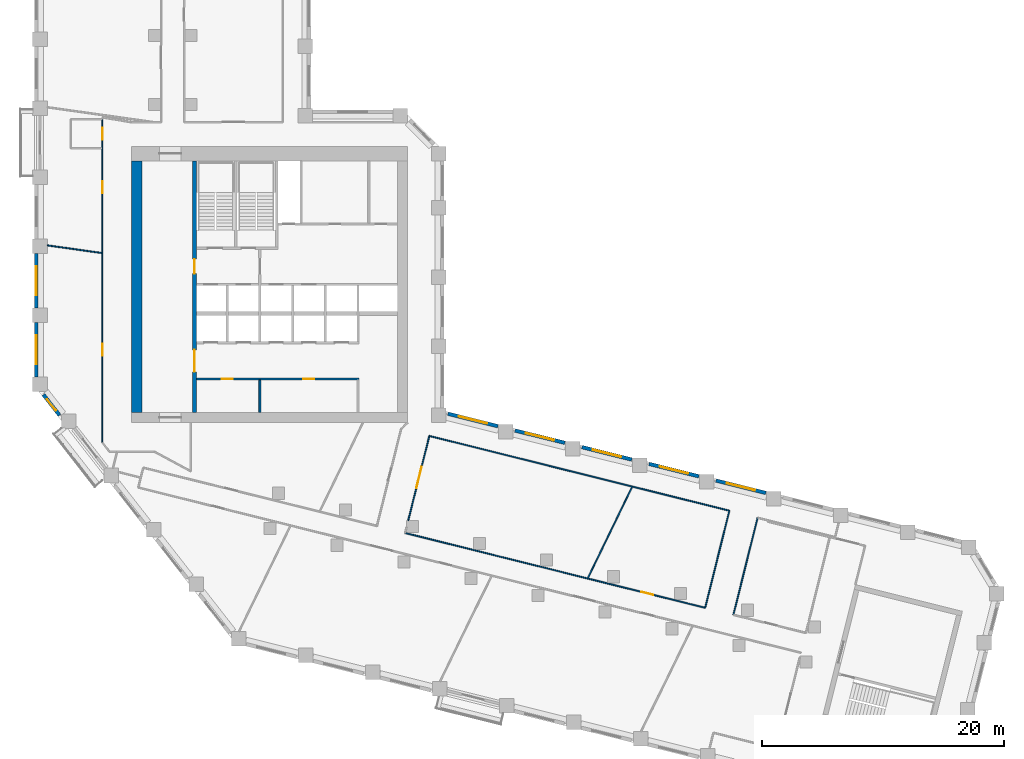
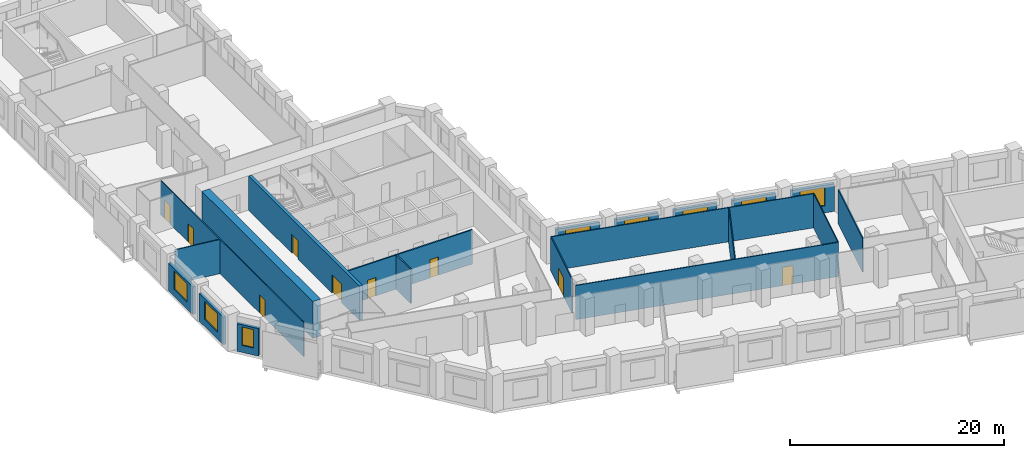
# One storey, part 4 of 10: 20 walls, 9 doors, 8 windows, 17 openings.
"""IFC4 building model written with IfcOpenShell, lengths in metres."""

from ifc_helpers import new_model, si_unit, direction, frame, frame_2d, origin, place, context, subcontext, project, spatial, rectangle, extrude, material, layer, layer_set, type_object, element, fill, save


model = new_model("IFC4")

# Units and contexts
model_context = context("Model", 3, precision=1e-05, world=origin(), true_north=direction((0.0, 1.0)))
body_context = subcontext(model_context, "Body", "Model", "MODEL_VIEW")
ifc_project = project(units=[si_unit("LENGTHUNIT", "METRE"), si_unit("AREAUNIT", "SQUARE_METRE"), si_unit("VOLUMEUNIT", "CUBIC_METRE"), si_unit("PLANEANGLEUNIT", "RADIAN"), si_unit("MASSUNIT", "GRAM", prefix="KILO")], contexts=[model_context])

# Site, building, storey
site_placement = place(None, origin())
site = spatial("IfcSite", under=ifc_project, at=site_placement, CompositionType="ELEMENT")
building_placement = place(site_placement, origin())
building = spatial("IfcBuilding", under=site, at=building_placement, Name="Meshkara Civic Tower", CompositionType="ELEMENT")
storey_placement = place(building_placement, frame((0.0, 0.0, 186.60009765625)))
storey = spatial("IfcBuildingStorey", under=building, at=storey_placement, Name="L42", CompositionType="ELEMENT", Elevation=186.60009765625)

# Wall, openings, doors
ifc_material_1 = material(Name="Blockwork", Category="masonry")
ifc_layer_1 = layer(ifc_material_1, 0.14990234375)
ifc_layer_set_1 = layer_set([ifc_layer_1], Name="Core partition 150")
wall_type_1 = type_object("IfcWallType", Name="Core partition 150", PredefinedType="PARTITIONING", material=ifc_layer_set_1)
wall_1_placement = place(storey_placement, frame((13.3701171875, 17.699951171875, 0.0), z_axis=(0.0, 0.0, 1.0), x_axis=(1.0, 0.0, 0.0)))
wall_1 = element("IfcWall", 1, at=wall_1_placement, inside=storey, type_object=wall_type_1, Name="L42-C005", PredefinedType="PARTITIONING", context=body_context, shape_type="SweptSolid", body=[
    extrude(rectangle(XDim=13.40478515625, YDim=0.14990234375, at=frame_2d((6.702392578125, 0.0))), origin(), (0.0, 0.0, 1.0), 3.89990234375),
])
opening_1_placement = place(wall_1_placement, frame((2.080078125, 0.0, 0.0)))
opening_1 = element("IfcOpeningElement", 2, at=opening_1_placement, cuts=wall_1, Name="Opening L42-K010", PredefinedType="OPENING", context=body_context, shape_type="SweptSolid", body=[
    extrude(rectangle(XDim=0.89990234375, YDim=2.10009765625, at=frame_2d((0.449951171875, 1.050048828125))), frame((0.0, 0.0849609375, 0.0), z_axis=(0.0, -1.0, 0.0), x_axis=(1.0, 0.0, 0.0)), (0.0, 0.0, 1.0), 0.169921875),
])
opening_2_placement = place(wall_1_placement, frame((8.830078125, 0.0, 0.0)))
opening_2 = element("IfcOpeningElement", 3, at=opening_2_placement, cuts=wall_1, Name="Opening L42-K011", PredefinedType="OPENING", context=body_context, shape_type="SweptSolid", body=[
    extrude(rectangle(XDim=0.89990234375, YDim=2.10009765625, at=frame_2d((0.449951171875, 1.050048828125))), frame((0.0, 0.0849609375, 0.0), z_axis=(0.0, -1.0, 0.0), x_axis=(1.0, 0.0, 0.0)), (0.0, 0.0, 1.0), 0.169921875),
])
ifc_material_2 = material(Name="Timber door leaf in steel frame", Category="steel")
door_type_1 = type_object("IfcDoorType", Name="Core room door 900", OperationType="SINGLE_SWING_LEFT", PredefinedType="DOOR", material=ifc_material_2)
door_1_placement = place(opening_1_placement, origin())
door_1 = element("IfcDoor", 4, at=door_1_placement, inside=storey, type_object=door_type_1, Name="L42-K010", OperationType="SINGLE_SWING_LEFT", OverallHeight=2.10009765625, OverallWidth=0.89990234375, PredefinedType="DOOR", context=body_context, shape_type="SweptSolid", body=[
    extrude(rectangle(XDim=0.89990234375, YDim=2.10009765625, at=frame_2d((0.449951171875, 1.050048828125))), frame((0.0, 0.02490234375, 0.0), z_axis=(0.0, -1.0, 0.0), x_axis=(1.0, 0.0, 0.0)), (0.0, 0.0, 1.0), 0.050048828125),
])
fill(opening_1, door_1)
door_2_placement = place(opening_2_placement, origin())
door_2 = element("IfcDoor", 5, at=door_2_placement, inside=storey, type_object=door_type_1, Name="L42-K011", OperationType="SINGLE_SWING_LEFT", OverallHeight=2.10009765625, OverallWidth=0.89990234375, PredefinedType="DOOR", context=body_context, shape_type="SweptSolid", body=[
    extrude(rectangle(XDim=0.89990234375, YDim=2.10009765625, at=frame_2d((0.449951171875, 1.050048828125))), frame((0.0, 0.02490234375, 0.0), z_axis=(0.0, -1.0, 0.0), x_axis=(1.0, 0.0, 0.0)), (0.0, 0.0, 1.0), 0.050048828125),
])
fill(opening_2, door_2)

# Walls
wall_2_placement = place(storey_placement, frame((18.60009765625, 14.949951171875, 0.0), z_axis=(0.0, 0.0, 1.0), x_axis=(0.0, 1.0, 0.0)))
element("IfcWall", 6, at=wall_2_placement, inside=storey, type_object=wall_type_1, Name="L42-C014", PredefinedType="PARTITIONING", context=body_context, shape_type="SweptSolid", body=[
    extrude(rectangle(XDim=2.675048828125, YDim=0.14990234375, at=frame_2d((1.33740234375, 0.0))), origin(), (0.0, 0.0, 1.0), 3.89990234375),
])
ifc_material_3 = material(Name="Concrete C70", Category="concrete")
ifc_layer_2 = layer(ifc_material_3, 0.85009765625)
ifc_layer_set_2 = layer_set([ifc_layer_2], Name="Core ring wall 850 C70")
wall_type_2 = type_object("IfcWallType", Name="Core ring wall 850 C70", PredefinedType="SHEAR", material=ifc_layer_set_2)
wall_3_placement = place(storey_placement, frame((8.425048828125, 14.949951171875, -0.300048828125), z_axis=(0.0, 0.0, 1.0), x_axis=(0.0, 1.0, 0.0)))
element("IfcWall", 7, at=wall_3_placement, inside=storey, type_object=wall_type_2, Name="L42-C003", PredefinedType="SHEAR", context=body_context, shape_type="SweptSolid", body=[
    extrude(rectangle(XDim=20.75, YDim=0.85009765625, at=frame_2d((10.375, 0.0))), origin(), (0.0, 0.0, 1.0), 4.199951171875),
])

# Wall, openings, doors
ifc_material_4 = material(Name="Concrete C70", Category="concrete")
ifc_layer_3 = layer(ifc_material_4, 0.340087890625)
ifc_layer_set_3 = layer_set([ifc_layer_3], Name="Core shear wall 340 C70")
wall_type_3 = type_object("IfcWallType", Name="Core shear wall 340 C70", PredefinedType="SHEAR", material=ifc_layer_set_3)
wall_4_placement = place(storey_placement, frame((13.199951171875, 14.949951171875, 0.0), z_axis=(0.0, 0.0, 1.0), x_axis=(0.0, 1.0, 0.0)))
wall_4 = element("IfcWall", 8, at=wall_4_placement, inside=storey, type_object=wall_type_3, Name="L42-C011", PredefinedType="SHEAR", context=body_context, shape_type="SweptSolid", body=[
    extrude(rectangle(XDim=20.75, YDim=0.340087890625, at=frame_2d((10.375, 0.0))), origin(), (0.0, 0.0, 1.0), 3.89990234375),
])
opening_3_placement = place(wall_4_placement, frame((3.35009765625, 0.0, 0.0)))
opening_3 = element("IfcOpeningElement", 9, at=opening_3_placement, cuts=wall_4, Name="Opening L42-K017", PredefinedType="OPENING", context=body_context, shape_type="SweptSolid", body=[
    extrude(rectangle(XDim=1.800048828125, YDim=2.10009765625, at=frame_2d((0.89990234375, 1.050048828125))), frame((0.0, 0.179931640625, 0.0), z_axis=(0.0, -1.0, 0.0), x_axis=(1.0, 0.0, 0.0)), (0.0, 0.0, 1.0), 0.360107421875),
])
opening_4_placement = place(wall_4_placement, frame((11.449951171875, 0.0, 0.0)))
opening_4 = element("IfcOpeningElement", 10, at=opening_4_placement, cuts=wall_4, Name="Opening L42-K018", PredefinedType="OPENING", context=body_context, shape_type="SweptSolid", body=[
    extrude(rectangle(XDim=1.199951171875, YDim=2.10009765625, at=frame_2d((0.60009765625, 1.050048828125))), frame((0.0, 0.179931640625, 0.0), z_axis=(0.0, -1.0, 0.0), x_axis=(1.0, 0.0, 0.0)), (0.0, 0.0, 1.0), 0.360107421875),
])
ifc_material_5 = material(Name="Fire-rated door leaf in steel frame", Category="steel")
door_type_2 = type_object("IfcDoorType", Name="Core double door 1800 EI 60", OperationType="DOUBLE_DOOR_SINGLE_SWING", PredefinedType="DOOR", material=ifc_material_5)
door_3_placement = place(opening_3_placement, origin())
door_3 = element("IfcDoor", 11, at=door_3_placement, inside=storey, type_object=door_type_2, Name="L42-K017", OperationType="DOUBLE_DOOR_SINGLE_SWING", OverallHeight=2.10009765625, OverallWidth=1.800048828125, PredefinedType="DOOR", context=body_context, shape_type="SweptSolid", body=[
    extrude(rectangle(XDim=1.800048828125, YDim=2.10009765625, at=frame_2d((0.89990234375, 1.050048828125))), frame((0.0, 0.02490234375, 0.0), z_axis=(0.0, -1.0, 0.0), x_axis=(1.0, 0.0, 0.0)), (0.0, 0.0, 1.0), 0.050048828125),
])
fill(opening_3, door_3)
ifc_material_6 = material(Name="Fire-rated door leaf in steel frame", Category="steel")
door_type_3 = type_object("IfcDoorType", Name="Fire-fighting lobby door 1200 EI 120", OperationType="SINGLE_SWING_LEFT", PredefinedType="DOOR", material=ifc_material_6)
door_4_placement = place(opening_4_placement, origin())
door_4 = element("IfcDoor", 12, at=door_4_placement, inside=storey, type_object=door_type_3, Name="L42-K018", OperationType="SINGLE_SWING_LEFT", OverallHeight=2.10009765625, OverallWidth=1.199951171875, PredefinedType="DOOR", context=body_context, shape_type="SweptSolid", body=[
    extrude(rectangle(XDim=1.199951171875, YDim=2.10009765625, at=frame_2d((0.60009765625, 1.050048828125))), frame((0.0, 0.02490234375, 0.0), z_axis=(0.0, -1.0, 0.0), x_axis=(1.0, 0.0, 0.0)), (0.0, 0.0, 1.0), 0.050048828125),
])
fill(opening_4, door_4)

ifc_material_7 = material(Name="Corridor wall 100")
ifc_layer_4 = layer(ifc_material_7, 0.10009765625)
ifc_layer_set_4 = layer_set([ifc_layer_4], Name="Corridor wall 100")
wall_type_4 = type_object("IfcWallType", Name="Corridor wall 100", PredefinedType="PARTITIONING", material=ifc_layer_set_4)
wall_5_placement = place(storey_placement, frame((5.60009765625, 12.450927734375, 0.0), z_axis=(0.0, 0.0, 1.0), x_axis=(0.0, 1.0, 0.0)))
wall_5 = element("IfcWall", 13, at=wall_5_placement, inside=storey, type_object=wall_type_4, Name="L42-W003", PredefinedType="PARTITIONING", context=body_context, shape_type="SweptSolid", body=[
    extrude(rectangle(XDim=26.698974609375, YDim=0.10009765625, at=frame_2d((13.349609375, 0.0))), origin(), (0.0, 0.0, 1.0), 3.89990234375),
])
opening_5_placement = place(wall_5_placement, frame((7.169921875, 0.0, 0.0)))
opening_5 = element("IfcOpeningElement", 14, at=opening_5_placement, cuts=wall_5, Name="Opening L42-D014", PredefinedType="OPENING", context=body_context, shape_type="SweptSolid", body=[
    extrude(rectangle(XDim=1.0, YDim=2.10009765625, at=frame_2d((0.5, 1.050048828125))), frame((0.0, 0.06005859375, 0.0), z_axis=(0.0, -1.0, 0.0), x_axis=(1.0, 0.0, 0.0)), (0.0, 0.0, 1.0), 0.1201171875),
])
opening_6_placement = place(wall_5_placement, frame((20.569091796875, 0.0, 0.0)))
opening_6 = element("IfcOpeningElement", 15, at=opening_6_placement, cuts=wall_5, Name="Opening L42-D015", PredefinedType="OPENING", context=body_context, shape_type="SweptSolid", body=[
    extrude(rectangle(XDim=1.0, YDim=2.10009765625, at=frame_2d((0.5, 1.050048828125))), frame((0.0, 0.06005859375, 0.0), z_axis=(0.0, -1.0, 0.0), x_axis=(1.0, 0.0, 0.0)), (0.0, 0.0, 1.0), 0.1201171875),
])
opening_7_placement = place(wall_5_placement, frame((24.97900390625, 0.0, 0.0)))
opening_7 = element("IfcOpeningElement", 16, at=opening_7_placement, cuts=wall_5, Name="Opening L42-D016", PredefinedType="OPENING", context=body_context, shape_type="SweptSolid", body=[
    extrude(rectangle(XDim=1.0, YDim=2.10009765625, at=frame_2d((0.5, 1.050048828125))), frame((0.0, 0.06005859375, 0.0), z_axis=(0.0, -1.0, 0.0), x_axis=(1.0, 0.0, 0.0)), (0.0, 0.0, 1.0), 0.1201171875),
])
ifc_material_8 = material(Name="Door 1000 x 2100")
door_type_4 = type_object("IfcDoorType", Name="Door 1000 x 2100", OperationType="SINGLE_SWING_LEFT", PredefinedType="DOOR", material=ifc_material_8)
door_5_placement = place(opening_5_placement, origin())
door_5 = element("IfcDoor", 17, at=door_5_placement, inside=storey, type_object=door_type_4, Name="L42-D014", OperationType="SINGLE_SWING_LEFT", OverallHeight=2.10009765625, OverallWidth=1.0, PredefinedType="DOOR", context=body_context, shape_type="SweptSolid", body=[
    extrude(rectangle(XDim=1.0, YDim=2.10009765625, at=frame_2d((0.5, 1.050048828125))), frame((0.0, 0.02490234375, 0.0), z_axis=(0.0, -1.0, 0.0), x_axis=(1.0, 0.0, 0.0)), (0.0, 0.0, 1.0), 0.050048828125),
])
fill(opening_5, door_5)
door_6_placement = place(opening_6_placement, origin())
door_6 = element("IfcDoor", 18, at=door_6_placement, inside=storey, type_object=door_type_4, Name="L42-D015", OperationType="SINGLE_SWING_LEFT", OverallHeight=2.10009765625, OverallWidth=1.0, PredefinedType="DOOR", context=body_context, shape_type="SweptSolid", body=[
    extrude(rectangle(XDim=1.0, YDim=2.10009765625, at=frame_2d((0.5, 1.050048828125))), frame((0.0, 0.02490234375, 0.0), z_axis=(0.0, -1.0, 0.0), x_axis=(1.0, 0.0, 0.0)), (0.0, 0.0, 1.0), 0.050048828125),
])
fill(opening_6, door_6)
door_7_placement = place(opening_7_placement, origin())
door_7 = element("IfcDoor", 19, at=door_7_placement, inside=storey, type_object=door_type_4, Name="L42-D016", OperationType="SINGLE_SWING_LEFT", OverallHeight=2.10009765625, OverallWidth=1.0, PredefinedType="DOOR", context=body_context, shape_type="SweptSolid", body=[
    extrude(rectangle(XDim=1.0, YDim=2.10009765625, at=frame_2d((0.5, 1.050048828125))), frame((0.0, 0.02490234375, 0.0), z_axis=(0.0, -1.0, 0.0), x_axis=(1.0, 0.0, 0.0)), (0.0, 0.0, 1.0), 0.050048828125),
])
fill(opening_7, door_7)

# Wall, opening, door
wall_6_placement = place(storey_placement, frame((30.590087890625, 4.991943359375, 0.0), z_axis=(0.0, 0.0, 1.0), x_axis=(0.97028916255, -0.241948219746, 0.0)))
wall_6 = element("IfcWall", 20, at=wall_6_placement, inside=storey, type_object=wall_type_4, Name="L42-W024", PredefinedType="PARTITIONING", context=body_context, shape_type="SweptSolid", body=[
    extrude(rectangle(XDim=25.526123046875, YDim=0.10009765625, at=frame_2d((12.76318359375, 0.0))), origin(), (0.0, 0.0, 1.0), 3.89990234375),
])
opening_8_placement = place(wall_6_placement, frame((20.10107421875, 0.0, 0.0)))
opening_8 = element("IfcOpeningElement", 21, at=opening_8_placement, cuts=wall_6, Name="Opening L42-D008", PredefinedType="OPENING", context=body_context, shape_type="SweptSolid", body=[
    extrude(rectangle(XDim=1.0, YDim=2.10009765625, at=frame_2d((0.5, 1.050048828125))), frame((0.0, 0.06005859375, 0.0), z_axis=(0.0, -1.0, 0.0), x_axis=(1.0, 0.0, 0.0)), (0.0, 0.0, 1.0), 0.1201171875),
])
door_8_placement = place(opening_8_placement, origin())
door_8 = element("IfcDoor", 22, at=door_8_placement, inside=storey, type_object=door_type_4, Name="L42-D008", OperationType="SINGLE_SWING_RIGHT", OverallHeight=2.10009765625, OverallWidth=1.0, PredefinedType="DOOR", context=body_context, shape_type="SweptSolid", body=[
    extrude(rectangle(XDim=1.0, YDim=2.10009765625, at=frame_2d((0.5, 1.050048828125))), frame((0.0, 0.02490234375, 0.0), z_axis=(0.0, -1.0, 0.0), x_axis=(1.0, 0.0, 0.0)), (0.0, 0.0, 1.0), 0.050048828125),
])
fill(opening_8, door_8)

wall_7_placement = place(storey_placement, frame((30.844970703125, 6.012939453125, 0.0), z_axis=(0.0, 0.0, 1.0), x_axis=(0.241969354343, 0.97028389225, 0.0)))
wall_7 = element("IfcWall", 23, at=wall_7_placement, inside=storey, type_object=wall_type_4, Name="L42-W027", PredefinedType="PARTITIONING", context=body_context, shape_type="SweptSolid", body=[
    extrude(rectangle(XDim=7.203125, YDim=0.10009765625, at=frame_2d((3.6015625, 0.0))), origin(), (0.0, 0.0, 1.0), 3.89990234375),
])
opening_9_placement = place(wall_7_placement, frame((2.780029296875, 0.0, 0.0)))
opening_9 = element("IfcOpeningElement", 24, at=opening_9_placement, cuts=wall_7, Name="Opening L42-D013", PredefinedType="OPENING", context=body_context, shape_type="SweptSolid", body=[
    extrude(rectangle(XDim=1.800048828125, YDim=2.10009765625, at=frame_2d((0.89990234375, 1.050048828125))), frame((0.0, 0.06005859375, 0.0), z_axis=(0.0, -1.0, 0.0), x_axis=(1.0, 0.0, 0.0)), (0.0, 0.0, 1.0), 0.1201171875),
])
ifc_material_9 = material(Name="Door pair 1800 x 2100")
door_type_5 = type_object("IfcDoorType", Name="Door pair 1800 x 2100", OperationType="SINGLE_SWING_LEFT", PredefinedType="DOOR", material=ifc_material_9)
door_9_placement = place(opening_9_placement, origin())
door_9 = element("IfcDoor", 25, at=door_9_placement, inside=storey, type_object=door_type_5, Name="L42-D013", OperationType="DOUBLE_DOOR_SINGLE_SWING", OverallHeight=2.10009765625, OverallWidth=1.800048828125, PredefinedType="DOOR", context=body_context, shape_type="SweptSolid", body=[
    extrude(rectangle(XDim=1.800048828125, YDim=2.10009765625, at=frame_2d((0.89990234375, 1.050048828125))), frame((0.0, 0.02490234375, 0.0), z_axis=(0.0, -1.0, 0.0), x_axis=(1.0, 0.0, 0.0)), (0.0, 0.0, 1.0), 0.050048828125),
])
fill(opening_9, door_9)

# Walls
wall_8_placement = place(storey_placement, frame((32.587890625, 13.001953125, 0.0), z_axis=(0.0, 0.0, 1.0), x_axis=(0.970296463981, -0.241918936808, 0.0)))
element("IfcWall", 26, at=wall_8_placement, inside=storey, type_object=wall_type_4, Name="L42-W028", PredefinedType="PARTITIONING", context=body_context, shape_type="SweptSolid", body=[
    extrude(rectangle(XDim=25.525390625, YDim=0.10009765625, at=frame_2d((12.7626953125, 0.0))), origin(), (0.0, 0.0, 1.0), 3.89990234375),
])
wall_9_placement = place(storey_placement, frame((57.35498046875, 6.826904296875, 0.0), z_axis=(0.0, 0.0, 1.0), x_axis=(-0.241888494143, -0.970304053584, 0.0)))
element("IfcWall", 27, at=wall_9_placement, inside=storey, type_object=wall_type_4, Name="L42-W029", PredefinedType="PARTITIONING", context=body_context, shape_type="SweptSolid", body=[
    extrude(rectangle(XDim=8.256103515625, YDim=0.10009765625, at=frame_2d((4.1279296875, 0.0))), origin(), (0.0, 0.0, 1.0), 3.89990234375),
])
wall_10_placement = place(storey_placement, frame((57.68701171875, -1.763916015625, 0.0), z_axis=(0.0, 0.0, 1.0), x_axis=(0.24191625886, 0.970297131656, 0.0)))
element("IfcWall", 28, at=wall_10_placement, inside=storey, type_object=wall_type_4, Name="L42-W030", PredefinedType="PARTITIONING", context=body_context, shape_type="SweptSolid", body=[
    extrude(rectangle(XDim=8.255126953125, YDim=0.10009765625, at=frame_2d((4.12744140625, 0.0))), origin(), (0.0, 0.0, 1.0), 3.89990234375),
])

# Wall, opening, window
ifc_material_10 = material(Name="Insulated infill panel with bronze anodised aluminium cladding", Category="aluminium")
ifc_layer_5 = layer(ifc_material_10, 0.300048828125)
ifc_layer_set_5 = layer_set([ifc_layer_5], Name="EXTERNAL INFILL WALL 300")
wall_type_5 = type_object("IfcWallType", Name="EXTERNAL INFILL WALL 300", PredefinedType="SOLIDWALL", material=ifc_layer_set_5)
wall_11_placement = place(storey_placement, frame((60.3701171875, 8.291015625, 0.0), z_axis=(0.0, 0.0, 1.0), x_axis=(-0.970291164166, 0.241940192487, 0.0)))
wall_11 = element("IfcWall", 29, at=wall_11_placement, inside=storey, type_object=wall_type_5, Name="External wall", PredefinedType="SOLIDWALL", context=body_context, shape_type="SweptSolid", body=[
    extrude(rectangle(XDim=4.245361328125, YDim=0.300048828125, at=frame_2d((2.12255859375, 0.0))), origin(), (0.0, 0.0, 1.0), 3.14990234375),
])
opening_10_placement = place(wall_11_placement, frame((0.922119140625, 0.0, 0.800048828125)))
opening_10 = element("IfcOpeningElement", 30, at=opening_10_placement, cuts=wall_11, Name="Opening W7", PredefinedType="OPENING", context=body_context, shape_type="SweptSolid", body=[
    extrude(rectangle(XDim=2.39990234375, YDim=2.10009765625, at=frame_2d((1.199951171875, 1.050048828125))), frame((0.0, 0.159912109375, 0.0), z_axis=(0.0, -1.0, 0.0), x_axis=(1.0, 0.0, 0.0)), (0.0, 0.0, 1.0), 0.320068359375),
])
ifc_material_11 = material(Name="Tinted double glazing", Category="glass")
window_type_1 = type_object("IfcWindowType", Name="WINDOW 2400x2100", PartitioningType="DOUBLE_PANEL_VERTICAL", PredefinedType="WINDOW", material=ifc_material_11)
window_1_placement = place(opening_10_placement, origin())
window_1 = element("IfcWindow", 31, at=window_1_placement, inside=storey, type_object=window_type_1, Name="Window", OverallHeight=2.10009765625, OverallWidth=2.39990234375, PartitioningType="DOUBLE_PANEL_VERTICAL", PredefinedType="WINDOW", context=body_context, shape_type="SweptSolid", body=[
    extrude(rectangle(XDim=2.39990234375, YDim=2.10009765625, at=frame_2d((1.199951171875, 1.050048828125))), frame((0.0, 0.030029296875, 0.0), z_axis=(0.0, -1.0, 0.0), x_axis=(1.0, 0.0, 0.0)), (0.0, 0.0, 1.0), 0.06005859375),
])
fill(opening_10, window_1)

wall_12_placement = place(storey_placement, frame((54.840087890625, 9.669921875, 0.0), z_axis=(0.0, 0.0, 1.0), x_axis=(-0.97030462482, 0.241886202691, 0.0)))
wall_12 = element("IfcWall", 32, at=wall_12_placement, inside=storey, type_object=wall_type_5, Name="External wall", PredefinedType="SOLIDWALL", context=body_context, shape_type="SweptSolid", body=[
    extrude(rectangle(XDim=4.24609375, YDim=0.300048828125, at=frame_2d((2.123046875, 0.0))), origin(), (0.0, 0.0, 1.0), 3.14990234375),
])
opening_11_placement = place(wall_12_placement, frame((0.923095703125, 0.0, 0.800048828125)))
opening_11 = element("IfcOpeningElement", 33, at=opening_11_placement, cuts=wall_12, Name="Opening W7", PredefinedType="OPENING", context=body_context, shape_type="SweptSolid", body=[
    extrude(rectangle(XDim=2.39990234375, YDim=2.10009765625, at=frame_2d((1.199951171875, 1.050048828125))), frame((0.0, 0.159912109375, 0.0), z_axis=(0.0, -1.0, 0.0), x_axis=(1.0, 0.0, 0.0)), (0.0, 0.0, 1.0), 0.320068359375),
])
window_2_placement = place(opening_11_placement, origin())
window_2 = element("IfcWindow", 34, at=window_2_placement, inside=storey, type_object=window_type_1, Name="Window", OverallHeight=2.10009765625, OverallWidth=2.39990234375, PartitioningType="DOUBLE_PANEL_VERTICAL", PredefinedType="WINDOW", context=body_context, shape_type="SweptSolid", body=[
    extrude(rectangle(XDim=2.39990234375, YDim=2.10009765625, at=frame_2d((1.199951171875, 1.050048828125))), frame((0.0, 0.030029296875, 0.0), z_axis=(0.0, -1.0, 0.0), x_axis=(1.0, 0.0, 0.0)), (0.0, 0.0, 1.0), 0.06005859375),
])
fill(opening_11, window_2)

wall_13_placement = place(storey_placement, frame((49.30908203125, 11.049072265625, 0.0), z_axis=(0.0, 0.0, 1.0), x_axis=(-0.970264129329, 0.242048588793, 0.0)))
wall_13 = element("IfcWall", 35, at=wall_13_placement, inside=storey, type_object=wall_type_5, Name="External wall", PredefinedType="SOLIDWALL", context=body_context, shape_type="SweptSolid", body=[
    extrude(rectangle(XDim=4.246337890625, YDim=0.300048828125, at=frame_2d((2.123046875, 0.0))), origin(), (0.0, 0.0, 1.0), 3.14990234375),
])
opening_12_placement = place(wall_13_placement, frame((0.923095703125, 0.0, 0.800048828125)))
opening_12 = element("IfcOpeningElement", 36, at=opening_12_placement, cuts=wall_13, Name="Opening W7", PredefinedType="OPENING", context=body_context, shape_type="SweptSolid", body=[
    extrude(rectangle(XDim=2.39990234375, YDim=2.10009765625, at=frame_2d((1.199951171875, 1.050048828125))), frame((0.0, 0.159912109375, 0.0), z_axis=(0.0, -1.0, 0.0), x_axis=(1.0, 0.0, 0.0)), (0.0, 0.0, 1.0), 0.320068359375),
])
window_3_placement = place(opening_12_placement, origin())
window_3 = element("IfcWindow", 37, at=window_3_placement, inside=storey, type_object=window_type_1, Name="Window", OverallHeight=2.10009765625, OverallWidth=2.39990234375, PartitioningType="DOUBLE_PANEL_VERTICAL", PredefinedType="WINDOW", context=body_context, shape_type="SweptSolid", body=[
    extrude(rectangle(XDim=2.39990234375, YDim=2.10009765625, at=frame_2d((1.199951171875, 1.050048828125))), frame((0.0, 0.030029296875, 0.0), z_axis=(0.0, -1.0, 0.0), x_axis=(1.0, 0.0, 0.0)), (0.0, 0.0, 1.0), 0.06005859375),
])
fill(opening_12, window_3)

wall_14_placement = place(storey_placement, frame((43.778076171875, 12.427978515625, 0.0), z_axis=(0.0, 0.0, 1.0), x_axis=(-0.970291164166, 0.241940192487, 0.0)))
wall_14 = element("IfcWall", 38, at=wall_14_placement, inside=storey, type_object=wall_type_5, Name="External wall", PredefinedType="SOLIDWALL", context=body_context, shape_type="SweptSolid", body=[
    extrude(rectangle(XDim=4.245361328125, YDim=0.300048828125, at=frame_2d((2.12255859375, 0.0))), origin(), (0.0, 0.0, 1.0), 3.14990234375),
])
opening_13_placement = place(wall_14_placement, frame((0.922119140625, 0.0, 0.800048828125)))
opening_13 = element("IfcOpeningElement", 39, at=opening_13_placement, cuts=wall_14, Name="Opening W7", PredefinedType="OPENING", context=body_context, shape_type="SweptSolid", body=[
    extrude(rectangle(XDim=2.39990234375, YDim=2.10009765625, at=frame_2d((1.199951171875, 1.050048828125))), frame((0.0, 0.159912109375, 0.0), z_axis=(0.0, -1.0, 0.0), x_axis=(1.0, 0.0, 0.0)), (0.0, 0.0, 1.0), 0.320068359375),
])
window_4_placement = place(opening_13_placement, origin())
window_4 = element("IfcWindow", 40, at=window_4_placement, inside=storey, type_object=window_type_1, Name="Window", OverallHeight=2.10009765625, OverallWidth=2.39990234375, PartitioningType="DOUBLE_PANEL_VERTICAL", PredefinedType="WINDOW", context=body_context, shape_type="SweptSolid", body=[
    extrude(rectangle(XDim=2.39990234375, YDim=2.10009765625, at=frame_2d((1.199951171875, 1.050048828125))), frame((0.0, 0.030029296875, 0.0), z_axis=(0.0, -1.0, 0.0), x_axis=(1.0, 0.0, 0.0)), (0.0, 0.0, 1.0), 0.06005859375),
])
fill(opening_13, window_4)

wall_15_placement = place(storey_placement, frame((38.248046875, 13.806884765625, 0.0), z_axis=(0.0, 0.0, 1.0), x_axis=(-0.970250625545, 0.242102712975, 0.0)))
wall_15 = element("IfcWall", 41, at=wall_15_placement, inside=storey, type_object=wall_type_5, Name="External wall", PredefinedType="SOLIDWALL", context=body_context, shape_type="SweptSolid", body=[
    extrude(rectangle(XDim=4.246337890625, YDim=0.300048828125, at=frame_2d((2.123046875, 0.0))), origin(), (0.0, 0.0, 1.0), 3.14990234375),
])
opening_14_placement = place(wall_15_placement, frame((0.923095703125, 0.0, 0.800048828125)))
opening_14 = element("IfcOpeningElement", 42, at=opening_14_placement, cuts=wall_15, Name="Opening W7", PredefinedType="OPENING", context=body_context, shape_type="SweptSolid", body=[
    extrude(rectangle(XDim=2.39990234375, YDim=2.10009765625, at=frame_2d((1.199951171875, 1.050048828125))), frame((0.0, 0.159912109375, 0.0), z_axis=(0.0, -1.0, 0.0), x_axis=(1.0, 0.0, 0.0)), (0.0, 0.0, 1.0), 0.320068359375),
])
window_5_placement = place(opening_14_placement, origin())
window_5 = element("IfcWindow", 43, at=window_5_placement, inside=storey, type_object=window_type_1, Name="Window", OverallHeight=2.10009765625, OverallWidth=2.39990234375, PartitioningType="DOUBLE_PANEL_VERTICAL", PredefinedType="WINDOW", context=body_context, shape_type="SweptSolid", body=[
    extrude(rectangle(XDim=2.39990234375, YDim=2.10009765625, at=frame_2d((1.199951171875, 1.050048828125))), frame((0.0, 0.030029296875, 0.0), z_axis=(0.0, -1.0, 0.0), x_axis=(1.0, 0.0, 0.0)), (0.0, 0.0, 1.0), 0.06005859375),
])
fill(opening_14, window_5)

wall_16_placement = place(storey_placement, frame((0.14990234375, 28.054931640625, 0.0), z_axis=(0.0, 0.0, 1.0), x_axis=(0.0, -1.0, 0.0)))
wall_16 = element("IfcWall", 44, at=wall_16_placement, inside=storey, type_object=wall_type_5, Name="External wall", PredefinedType="SOLIDWALL", context=body_context, shape_type="SweptSolid", body=[
    extrude(rectangle(XDim=4.5, YDim=0.300048828125, at=frame_2d((2.25, 0.0))), origin(), (0.0, 0.0, 1.0), 3.14990234375),
])
opening_15_placement = place(wall_16_placement, frame((1.050048828125, 0.0, 0.800048828125)))
opening_15 = element("IfcOpeningElement", 45, at=opening_15_placement, cuts=wall_16, Name="Opening W7", PredefinedType="OPENING", context=body_context, shape_type="SweptSolid", body=[
    extrude(rectangle(XDim=2.39990234375, YDim=2.10009765625, at=frame_2d((1.199951171875, 1.050048828125))), frame((0.0, 0.159912109375, 0.0), z_axis=(0.0, -1.0, 0.0), x_axis=(1.0, 0.0, 0.0)), (0.0, 0.0, 1.0), 0.320068359375),
])
window_6_placement = place(opening_15_placement, origin())
window_6 = element("IfcWindow", 46, at=window_6_placement, inside=storey, type_object=window_type_1, Name="Window", OverallHeight=2.10009765625, OverallWidth=2.39990234375, PartitioningType="DOUBLE_PANEL_VERTICAL", PredefinedType="WINDOW", context=body_context, shape_type="SweptSolid", body=[
    extrude(rectangle(XDim=2.39990234375, YDim=2.10009765625, at=frame_2d((1.199951171875, 1.050048828125))), frame((0.0, 0.030029296875, 0.0), z_axis=(0.0, -1.0, 0.0), x_axis=(1.0, 0.0, 0.0)), (0.0, 0.0, 1.0), 0.06005859375),
])
fill(opening_15, window_6)

wall_17_placement = place(storey_placement, frame((0.14990234375, 22.35498046875, 0.0), z_axis=(0.0, 0.0, 1.0), x_axis=(0.0, -1.0, 0.0)))
wall_17 = element("IfcWall", 47, at=wall_17_placement, inside=storey, type_object=wall_type_5, Name="External wall", PredefinedType="SOLIDWALL", context=body_context, shape_type="SweptSolid", body=[
    extrude(rectangle(XDim=4.5, YDim=0.300048828125, at=frame_2d((2.25, 0.0))), origin(), (0.0, 0.0, 1.0), 3.14990234375),
])
opening_16_placement = place(wall_17_placement, frame((1.050048828125, 0.0, 0.800048828125)))
opening_16 = element("IfcOpeningElement", 48, at=opening_16_placement, cuts=wall_17, Name="Opening W7", PredefinedType="OPENING", context=body_context, shape_type="SweptSolid", body=[
    extrude(rectangle(XDim=2.39990234375, YDim=2.10009765625, at=frame_2d((1.199951171875, 1.050048828125))), frame((0.0, 0.159912109375, 0.0), z_axis=(0.0, -1.0, 0.0), x_axis=(1.0, 0.0, 0.0)), (0.0, 0.0, 1.0), 0.320068359375),
])
window_7_placement = place(opening_16_placement, origin())
window_7 = element("IfcWindow", 49, at=window_7_placement, inside=storey, type_object=window_type_1, Name="Window", OverallHeight=2.10009765625, OverallWidth=2.39990234375, PartitioningType="DOUBLE_PANEL_VERTICAL", PredefinedType="WINDOW", context=body_context, shape_type="SweptSolid", body=[
    extrude(rectangle(XDim=2.39990234375, YDim=2.10009765625, at=frame_2d((1.199951171875, 1.050048828125))), frame((0.0, 0.030029296875, 0.0), z_axis=(0.0, -1.0, 0.0), x_axis=(1.0, 0.0, 0.0)), (0.0, 0.0, 1.0), 0.06005859375),
])
fill(opening_16, window_7)

wall_18_placement = place(storey_placement, frame((0.73193359375, 16.406982421875, 0.0), z_axis=(0.0, 0.0, 1.0), x_axis=(0.615593496459, -0.788063859797, 0.0)))
wall_18 = element("IfcWall", 50, at=wall_18_placement, inside=storey, type_object=wall_type_5, Name="External wall", PredefinedType="SOLIDWALL", context=body_context, shape_type="SweptSolid", body=[
    extrude(rectangle(XDim=2.156005859375, YDim=0.300048828125, at=frame_2d((1.078125, 0.0))), origin(), (0.0, 0.0, 1.0), 3.14990234375),
])
opening_17_placement = place(wall_18_placement, frame((0.47802734375, 0.0, 0.800048828125)))
opening_17 = element("IfcOpeningElement", 51, at=opening_17_placement, cuts=wall_18, Name="Opening W3", PredefinedType="OPENING", context=body_context, shape_type="SweptSolid", body=[
    extrude(rectangle(XDim=1.199951171875, YDim=2.10009765625, at=frame_2d((0.60009765625, 1.050048828125))), frame((0.0, 0.159912109375, 0.0), z_axis=(0.0, -1.0, 0.0), x_axis=(1.0, 0.0, 0.0)), (0.0, 0.0, 1.0), 0.320068359375),
])
ifc_material_12 = material(Name="Tinted double glazing", Category="glass")
window_type_2 = type_object("IfcWindowType", Name="WINDOW 1200x2100", PartitioningType="SINGLE_PANEL", PredefinedType="WINDOW", material=ifc_material_12)
window_8_placement = place(opening_17_placement, origin())
window_8 = element("IfcWindow", 52, at=window_8_placement, inside=storey, type_object=window_type_2, Name="Window", OverallHeight=2.10009765625, OverallWidth=1.199951171875, PartitioningType="SINGLE_PANEL", PredefinedType="WINDOW", context=body_context, shape_type="SweptSolid", body=[
    extrude(rectangle(XDim=1.199951171875, YDim=2.10009765625, at=frame_2d((0.60009765625, 1.050048828125))), frame((0.0, 0.030029296875, 0.0), z_axis=(0.0, -1.0, 0.0), x_axis=(1.0, 0.0, 0.0)), (0.0, 0.0, 1.0), 0.06005859375),
])
fill(opening_17, window_8)

# Walls
ifc_material_13 = material(Name="Partition 100")
ifc_layer_6 = layer(ifc_material_13, 0.10009765625)
ifc_layer_set_6 = layer_set([ifc_layer_6], Name="Partition 100")
wall_type_6 = type_object("IfcWallType", Name="Partition 100", PredefinedType="PARTITIONING", material=ifc_layer_set_6)
wall_19_placement = place(storey_placement, frame((5.54296875, 28.10107421875, 0.0), z_axis=(0.0, 0.0, 1.0), x_axis=(-0.990255999125, 0.139258953743, 0.0)))
element("IfcWall", 53, at=wall_19_placement, inside=storey, type_object=wall_type_6, Name="L42-W045", PredefinedType="PARTITIONING", context=body_context, shape_type="SweptSolid", body=[
    extrude(rectangle(XDim=4.537109375, YDim=0.10009765625, at=frame_2d((2.2685546875, 0.0))), origin(), (0.0, 0.0, 1.0), 3.89990234375),
])
wall_20_placement = place(storey_placement, frame((45.677001953125, 1.2919921875, 0.0), z_axis=(0.0, 0.0, 1.0), x_axis=(0.438339199697, 0.898809627234, 0.0)))
element("IfcWall", 54, at=wall_20_placement, inside=storey, type_object=wall_type_6, Name="L42-W055", PredefinedType="PARTITIONING", context=body_context, shape_type="SweptSolid", body=[
    extrude(rectangle(XDim=8.31787109375, YDim=0.10009765625, at=frame_2d((4.158935546875, 0.0))), origin(), (0.0, 0.0, 1.0), 3.89990234375),
])

save(model, "model.ifc")
